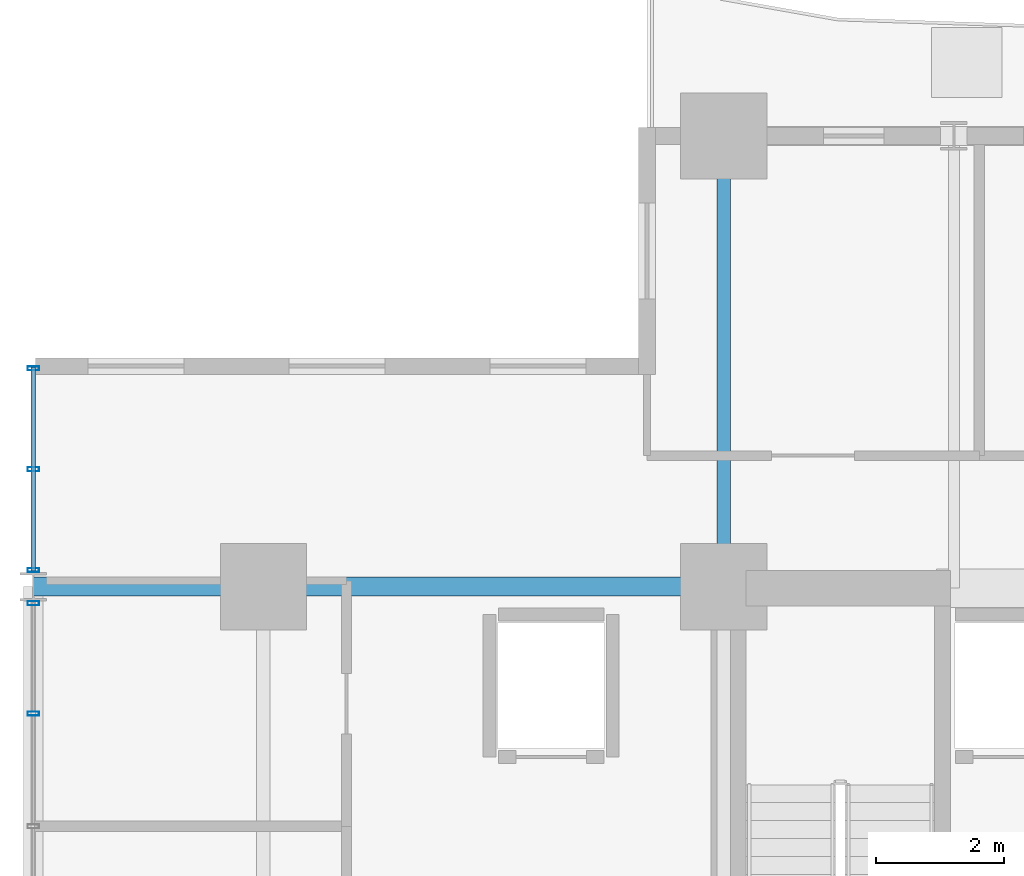
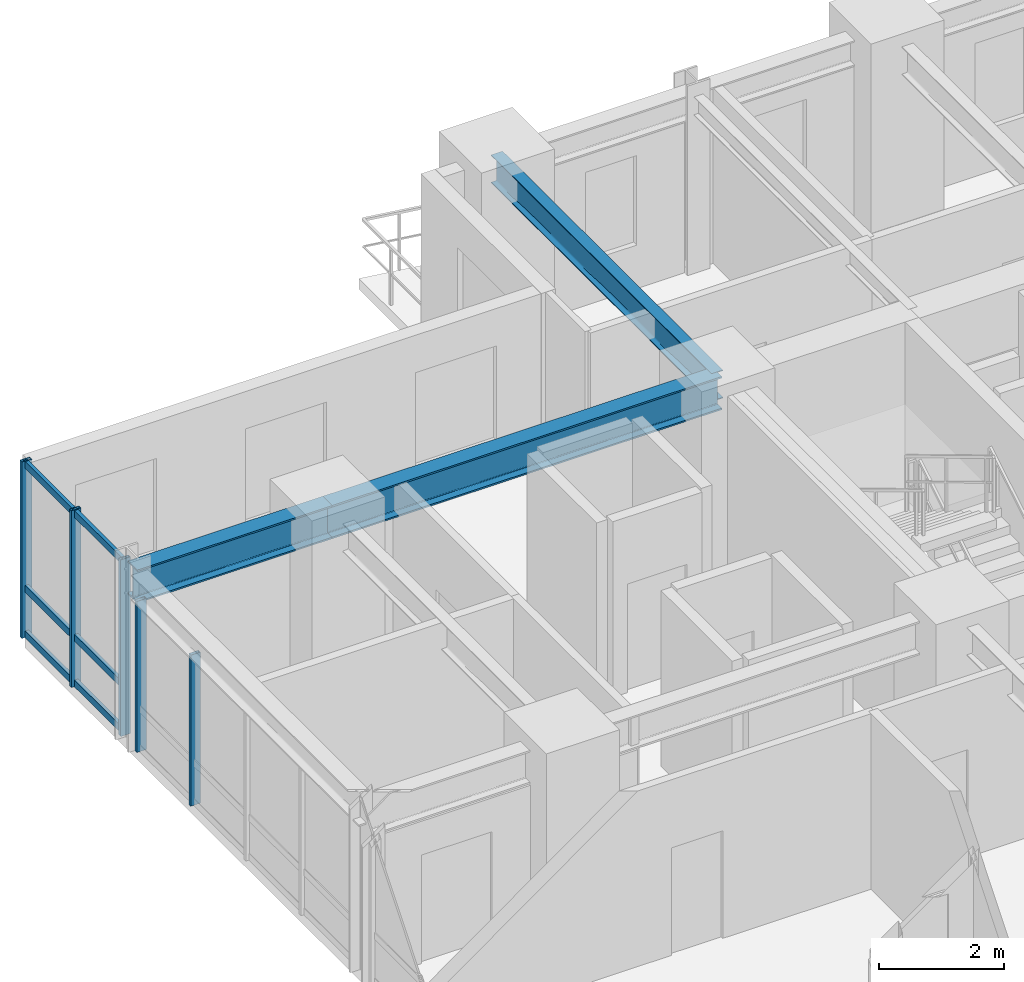
# One storey, part 6 of 17: 8 members, 3 beams, 2 elements without a shape of their own.
"""IFC4 building model written with IfcOpenShell, lengths in metres."""

from ifc_helpers import new_model, si_unit, direction, frame, origin, origin_2d, place, context, subcontext, project, spatial, hollow_rectangle, i_section, extrude, source, transform, mapped, material, layer, layer_set, material_profile, profile_set, type_object, element, aggregate, save


model = new_model("IFC4")

# Units and contexts
model_context = context("Model", 3, precision=1e-05, world=origin(), true_north=direction((0.0, 1.0)))
body_context = subcontext(model_context, "Body", "Model", "MODEL_VIEW")
ifc_project = project(units=[si_unit("LENGTHUNIT", "METRE"), si_unit("AREAUNIT", "SQUARE_METRE"), si_unit("VOLUMEUNIT", "CUBIC_METRE"), si_unit("PLANEANGLEUNIT", "RADIAN"), si_unit("MASSUNIT", "GRAM", prefix="KILO")], contexts=[model_context])

# Site, building, storey
site_placement = place(None, origin())
site = spatial("IfcSite", under=ifc_project, at=site_placement, CompositionType="ELEMENT")
building_placement = place(site_placement, origin())
building = spatial("IfcBuilding", under=site, at=building_placement, Name="Kaliganga Portal Commons", CompositionType="ELEMENT")
storey_placement = place(building_placement, frame((0.0, 0.0, 62.300048828125)))
storey = spatial("IfcBuildingStorey", under=building, at=storey_placement, Name="L15", CompositionType="ELEMENT", Elevation=62.300048828125)

# Beams
ifc_material_1 = material(Name="Structural steel S355J2", Category="steel")
ifc_material_profile_1 = material_profile(ifc_material_1, i_section(OverallWidth=0.300048828125, OverallDepth=0.64990234375, WebThickness=0.01611328125, FlangeThickness=0.031005859375, FilletRadius=0.027099609375, at=origin_2d()), Name="HE 650 B")
ifc_profile_set_1 = profile_set([ifc_material_profile_1], Name="Structural steel S355J2 wide-flange")
beam_type_1 = type_object("IfcBeamType", Name="BM-GIRD-650", PredefinedType="USERDEFINED", material=ifc_profile_set_1)
shared_shape_1 = source(origin(), body_context, "Body", "SweptSolid", [
    extrude(i_section(OverallWidth=0.300048828125, OverallDepth=0.64990234375, WebThickness=0.01611328125, FlangeThickness=0.031005859375, FilletRadius=0.027099609375, at=origin_2d()), origin(), (0.0, 0.0, 1.0), 3.599853515625),
])
beam_1_placement = place(storey_placement, frame((3.60009765625, 36.14990234375, 3.125), z_axis=(1.0, 0.0, 0.0), x_axis=(0.0, 1.0, 0.0)))
element("IfcBeam", 1, at=beam_1_placement, inside=storey, type_object=beam_type_1, Name="BM G L15 WAH_N 1", ObjectType="GIRDER", PredefinedType="USERDEFINED", context=body_context, shape_type="MappedRepresentation", body=[
    mapped(shared_shape_1, transform((0.0, 0.0, 0.0), x_axis=(1.0, 0.0, 0.0), y_axis=(0.0, 1.0, 0.0), z_axis=(0.0, 0.0, 1.0), scale=1.0)),
])
shared_shape_2 = source(origin(), body_context, "Body", "SweptSolid", [
    extrude(i_section(OverallWidth=0.300048828125, OverallDepth=0.64990234375, WebThickness=0.01611328125, FlangeThickness=0.031005859375, FilletRadius=0.027099609375, at=origin_2d()), origin(), (0.0, 0.0, 1.0), 7.199951171875),
])
beam_2_placement = place(storey_placement, frame((7.199951171875, 36.14990234375, 3.125), z_axis=(1.0, 0.0, 0.0), x_axis=(0.0, 1.0, 0.0)))
element("IfcBeam", 2, at=beam_2_placement, inside=storey, type_object=beam_type_1, Name="BM G L15 WAH_N 2", ObjectType="GIRDER", PredefinedType="USERDEFINED", context=body_context, shape_type="MappedRepresentation", body=[
    mapped(shared_shape_2, transform((0.0, 0.0, 0.0), x_axis=(1.0, 0.0, 0.0), y_axis=(0.0, 1.0, 0.0), z_axis=(0.0, 0.0, 1.0), scale=1.0)),
])
ifc_material_profile_2 = material_profile(ifc_material_1, i_section(OverallWidth=0.2099609375, OverallDepth=0.550048828125, WebThickness=0.010986328125, FlangeThickness=0.01708984375, FilletRadius=0.02392578125, at=origin_2d()), Name="IPE 550")
ifc_profile_set_2 = profile_set([ifc_material_profile_2], Name="Structural steel S355J2 wide-flange")
beam_type_2 = type_object("IfcBeamType", Name="BM-FLR-550", PredefinedType="BEAM", material=ifc_profile_set_2)
shared_shape_3 = source(origin(), body_context, "Body", "SweptSolid", [
    extrude(i_section(OverallWidth=0.2099609375, OverallDepth=0.550048828125, WebThickness=0.010986328125, FlangeThickness=0.01708984375, FilletRadius=0.02392578125, at=origin_2d()), origin(), (0.0, 0.0, 1.0), 7.050048828125),
])
beam_3_placement = place(storey_placement, frame((14.39990234375, 36.14990234375, 3.175048828125), z_axis=(0.0, 1.0, 0.0), x_axis=(-1.0, 0.0, 0.0)))
element("IfcBeam", 3, at=beam_3_placement, inside=storey, type_object=beam_type_2, Name="BM G L15 AN144", PredefinedType="BEAM", context=body_context, shape_type="MappedRepresentation", body=[
    mapped(shared_shape_3, transform((0.0, 0.0, 0.0), x_axis=(1.0, 0.0, 0.0), y_axis=(0.0, 1.0, 0.0), z_axis=(0.0, 0.0, 1.0), scale=1.0)),
])

# Curtain wall, members
ifc_material_2 = material(Name="Anodized Aluminium and Laminated Low-E Glass", Category="aluminium")
ifc_layer = layer(ifc_material_2, 0.199951171875)
ifc_layer_set = layer_set([ifc_layer], Name="Anodized Aluminium and Laminated Low-E Glass")
curtain_wall_type = type_object("IfcCurtainWallType", Name="CW-SYS-02", PredefinedType="NOTDEFINED", material=ifc_layer_set)
curtain_wall_1_placement = place(storey_placement, origin())
curtain_wall_1 = element("IfcCurtainWall", 4, at=curtain_wall_1_placement, inside=storey, type_object=curtain_wall_type, Name="CW 02 L15 P1E09S1", PredefinedType="NOTDEFINED")
ifc_material_3 = material(Name="Dark Bronze Anodized Aluminium", Category="aluminium")
ifc_material_profile_3 = material_profile(ifc_material_3, hollow_rectangle(XDim=0.06494140625, YDim=0.179931640625, WallThickness=0.00390625, at=origin_2d()), Name="ALU MULL 65x180x4")
ifc_profile_set_3 = profile_set([ifc_material_profile_3], Name="Dark Bronze Anodized Aluminium")
member_type_1 = type_object("IfcMemberType", Name="CW-MUL-180", PredefinedType="MULLION", material=ifc_profile_set_3)
shared_shape_4 = source(origin(), body_context, "Body", "SweptSolid", [
    extrude(hollow_rectangle(XDim=0.06494140625, YDim=0.179931640625, WallThickness=0.00390625, at=origin_2d()), origin(), (0.0, 0.0, 1.0), 3.449951171875),
])
member_1_placement = place(storey_placement, frame((3.60009765625, 39.56494140625, 0.0), z_axis=(0.0, 0.0, 1.0), x_axis=(0.0, -1.0, 0.0)))
member_1 = element("IfcMember", 5, at=member_1_placement, type_object=member_type_1, Name="CW:02:L15:P1E09S1 Mullion 00", PredefinedType="MULLION", context=body_context, shape_type="MappedRepresentation", body=[
    mapped(shared_shape_4, transform((0.0, 0.0, 0.0), x_axis=(1.0, 0.0, 0.0), y_axis=(0.0, 1.0, 0.0), z_axis=(0.0, 0.0, 1.0), scale=1.0)),
])
member_2_placement = place(storey_placement, frame((3.60009765625, 37.987060546875, 0.0), z_axis=(0.0, 0.0, 1.0), x_axis=(0.0, -1.0, 0.0)))
member_2 = element("IfcMember", 6, at=member_2_placement, type_object=member_type_1, Name="CW:02:L15:P1E09S1 Mullion 01", PredefinedType="MULLION", context=body_context, shape_type="MappedRepresentation", body=[
    mapped(shared_shape_4, transform((0.0, 0.0, 0.0), x_axis=(1.0, 0.0, 0.0), y_axis=(0.0, 1.0, 0.0), z_axis=(0.0, 0.0, 1.0), scale=1.0)),
])
member_3_placement = place(storey_placement, frame((3.60009765625, 36.408935546875, 0.0), z_axis=(0.0, 0.0, 1.0), x_axis=(0.0, -1.0, 0.0)))
member_3 = element("IfcMember", 7, at=member_3_placement, type_object=member_type_1, Name="CW:02:L15:P1E09S1 Mullion 02", PredefinedType="MULLION", context=body_context, shape_type="MappedRepresentation", body=[
    mapped(shared_shape_4, transform((0.0, 0.0, 0.0), x_axis=(1.0, 0.0, 0.0), y_axis=(0.0, 1.0, 0.0), z_axis=(0.0, 0.0, 1.0), scale=1.0)),
])

curtain_wall_2_placement = place(storey_placement, origin())
curtain_wall_2 = element("IfcCurtainWall", 8, at=curtain_wall_2_placement, inside=storey, type_object=curtain_wall_type, Name="CW 02 L15 P1E09S2", PredefinedType="NOTDEFINED")
shared_shape_5 = source(origin(), body_context, "Body", "SweptSolid", [
    extrude(hollow_rectangle(XDim=0.06494140625, YDim=0.179931640625, WallThickness=0.00390625, at=origin_2d()), origin(), (0.0, 0.0, 1.0), 2.949951171875),
])
member_4_placement = place(storey_placement, frame((3.60009765625, 35.89111328125, 0.0), z_axis=(0.0, 0.0, 1.0), x_axis=(0.0, -1.0, 0.0)))
member_4 = element("IfcMember", 9, at=member_4_placement, type_object=member_type_1, Name="CW:02:L15:P1E09S2 Mullion 00", PredefinedType="MULLION", context=body_context, shape_type="MappedRepresentation", body=[
    mapped(shared_shape_5, transform((0.0, 0.0, 0.0), x_axis=(1.0, 0.0, 0.0), y_axis=(0.0, 1.0, 0.0), z_axis=(0.0, 0.0, 1.0), scale=1.0)),
])
member_5_placement = place(storey_placement, frame((3.60009765625, 34.1630859375, 0.0), z_axis=(0.0, 0.0, 1.0), x_axis=(0.0, -1.0, 0.0)))
member_5 = element("IfcMember", 10, at=member_5_placement, type_object=member_type_1, Name="CW:02:L15:P1E09S2 Mullion 01", PredefinedType="MULLION", context=body_context, shape_type="MappedRepresentation", body=[
    mapped(shared_shape_5, transform((0.0, 0.0, 0.0), x_axis=(1.0, 0.0, 0.0), y_axis=(0.0, 1.0, 0.0), z_axis=(0.0, 0.0, 1.0), scale=1.0)),
])
aggregate(curtain_wall_2, [member_4, member_5])

# Member
ifc_material_profile_4 = material_profile(ifc_material_3, hollow_rectangle(XDim=0.06494140625, YDim=0.135009765625, WallThickness=0.00341796875, at=origin_2d()), Name="ALU TRAN 65x135x3.5")
ifc_profile_set_4 = profile_set([ifc_material_profile_4], Name="Dark Bronze Anodized Aluminium")
member_type_2 = type_object("IfcMemberType", Name="CW-TRN-135", PredefinedType="USERDEFINED", material=ifc_profile_set_4)
shared_shape_6 = source(origin(), body_context, "Body", "SweptSolid", [
    extrude(hollow_rectangle(XDim=0.06494140625, YDim=0.135009765625, WallThickness=0.00341796875, at=origin_2d()), origin(), (0.0, 0.0, 1.0), 3.18603515625),
])
member_6_placement = place(storey_placement, frame((3.60009765625, 39.580078125, 0.06005859375), z_axis=(0.0, -1.0, 0.0), x_axis=(1.0, 0.0, 0.0)))
member_6 = element("IfcMember", 11, at=member_6_placement, type_object=member_type_2, Name="CW:02:L15:P1E09S1 Transom 1", ObjectType="TRANSOM", PredefinedType="USERDEFINED", context=body_context, shape_type="MappedRepresentation", body=[
    mapped(shared_shape_6, transform((0.0, 0.0, 0.0), x_axis=(1.0, 0.0, 0.0), y_axis=(0.0, 1.0, 0.0), z_axis=(0.0, 0.0, 1.0), scale=1.0)),
])

member_7_placement = place(storey_placement, frame((3.60009765625, 39.580078125, 0.949951171875), z_axis=(0.0, -1.0, 0.0), x_axis=(1.0, 0.0, 0.0)))
member_7 = element("IfcMember", 12, at=member_7_placement, type_object=member_type_2, Name="CW:02:L15:P1E09S1 Transom 2", ObjectType="TRANSOM", PredefinedType="USERDEFINED", context=body_context, shape_type="MappedRepresentation", body=[
    mapped(shared_shape_6, transform((0.0, 0.0, 0.0), x_axis=(1.0, 0.0, 0.0), y_axis=(0.0, 1.0, 0.0), z_axis=(0.0, 0.0, 1.0), scale=1.0)),
])

member_8_placement = place(storey_placement, frame((3.60009765625, 39.580078125, 3.369873046875), z_axis=(0.0, -1.0, 0.0), x_axis=(1.0, 0.0, 0.0)))
member_8 = element("IfcMember", 13, at=member_8_placement, type_object=member_type_2, Name="CW:02:L15:P1E09S1 Transom 3", ObjectType="TRANSOM", PredefinedType="USERDEFINED", context=body_context, shape_type="MappedRepresentation", body=[
    mapped(shared_shape_6, transform((0.0, 0.0, 0.0), x_axis=(1.0, 0.0, 0.0), y_axis=(0.0, 1.0, 0.0), z_axis=(0.0, 0.0, 1.0), scale=1.0)),
])

aggregate(curtain_wall_1, [member_1, member_2, member_3, member_6, member_7, member_8])

save(model, "model.ifc")
